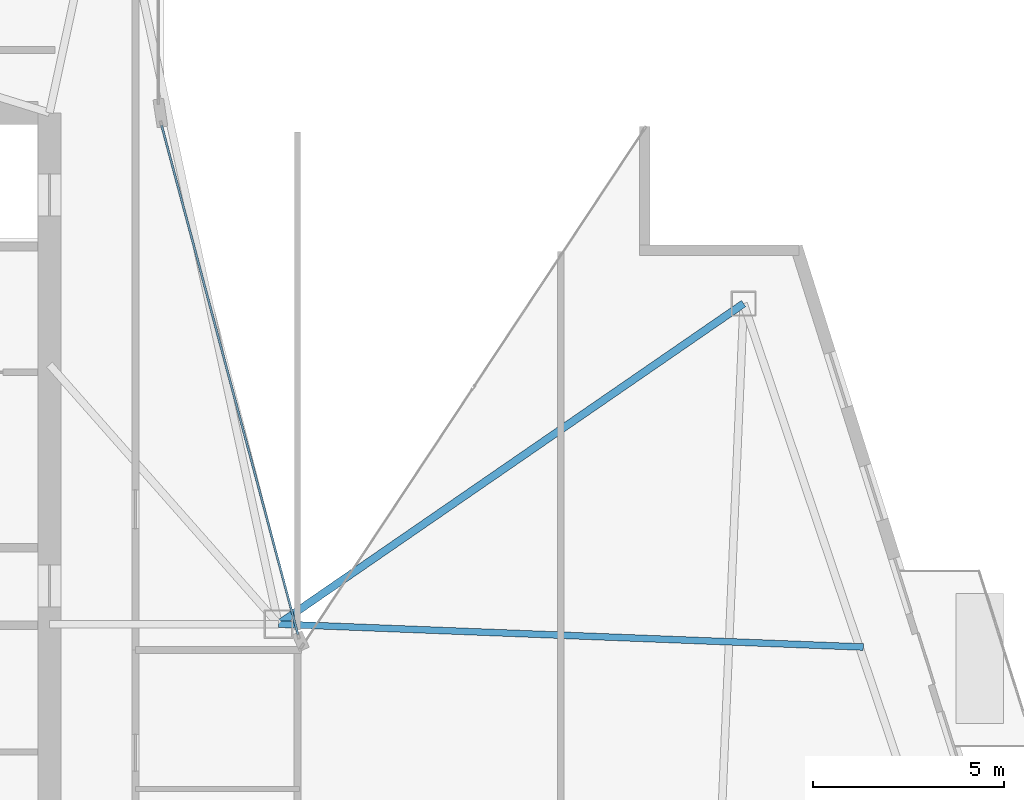
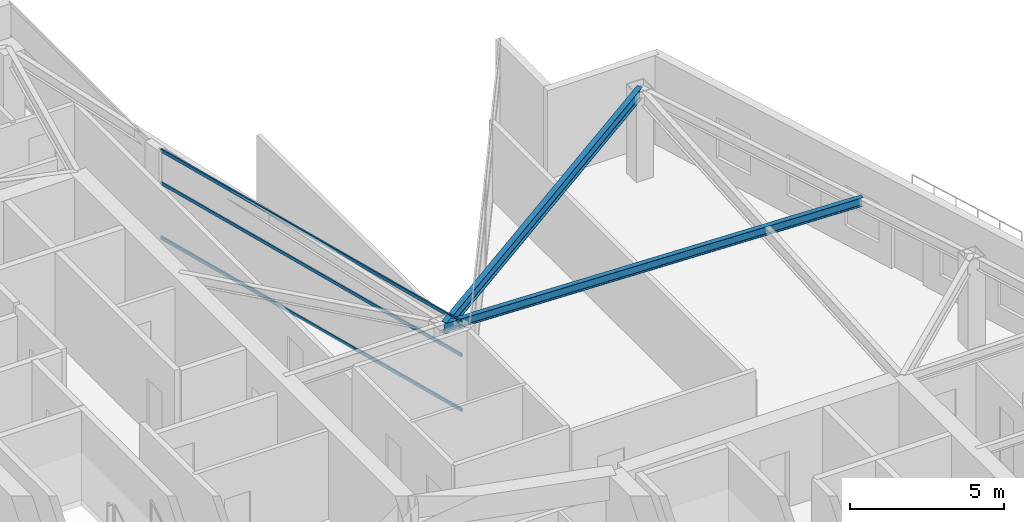
# One storey, part 11 of 27: 3 members, 2 beams, 1 element without a shape of its own.
"""IFC4 building model written with IfcOpenShell, lengths in metres."""

from ifc_helpers import new_model, si_unit, direction, frame, origin, origin_2d, place, context, subcontext, project, spatial, hollow_rectangle, i_section, extrude, material, layer, layer_set, material_profile, profile_set, type_object, element, aggregate, save


model = new_model("IFC4")

# Units and contexts
model_context = context("Model", 3, precision=1e-05, world=origin(), true_north=direction((0.0, 1.0)))
body_context = subcontext(model_context, "Body", "Model", "MODEL_VIEW")
ifc_project = project(units=[si_unit("LENGTHUNIT", "METRE"), si_unit("AREAUNIT", "SQUARE_METRE"), si_unit("VOLUMEUNIT", "CUBIC_METRE"), si_unit("PLANEANGLEUNIT", "RADIAN"), si_unit("MASSUNIT", "GRAM", prefix="KILO")], contexts=[model_context])

# Site, building, storey
site_placement = place(None, origin())
site = spatial("IfcSite", under=ifc_project, at=site_placement, CompositionType="ELEMENT")
building_placement = place(site_placement, origin())
building = spatial("IfcBuilding", under=site, at=building_placement, Name="Calvorn Quay Hotel", CompositionType="ELEMENT")
storey_placement = place(building_placement, frame((0.0, 0.0, 278.699951171875)))
storey = spatial("IfcBuildingStorey", under=building, at=storey_placement, Name="L69", CompositionType="ELEMENT", Elevation=278.699951171875)

# Beams
ifc_material_1 = material(Name="Steel Q355B", Category="steel")
ifc_material_profile_1 = material_profile(ifc_material_1, i_section(OverallWidth=0.175048828125, OverallDepth=0.35009765625, WebThickness=0.007080078125, FlangeThickness=0.010986328125, FilletRadius=0.013916015625, at=origin_2d()), Name="HN350x175x7x11")
ifc_profile_set_1 = profile_set([ifc_material_profile_1], Name="Steel Q355B")
beam_type_1 = type_object("IfcBeamType", Name="BM-JOIST-SEC", PredefinedType="JOIST", material=ifc_profile_set_1)
beam_1_placement = place(storey_placement, frame((21.0, 25.0, 3.344970703125), z_axis=(0.999234392811, -0.039123244039, 0.0), x_axis=(0.039123244039, 0.999234392811, 0.0)))
element("IfcBeam", 1, at=beam_1_placement, inside=storey, type_object=beam_type_1, Name="Beam BJ-L69-E3", PredefinedType="JOIST", context=body_context, shape_type="SweptSolid", body=[
    extrude(i_section(OverallWidth=0.175048828125, OverallDepth=0.35009765625, WebThickness=0.007080078125, FlangeThickness=0.010986328125, FilletRadius=0.013916015625, at=origin_2d()), origin(), (0.0, 0.0, 1.0), 15.338623046875),
])
ifc_material_2 = material(Name="Steel Q355B", Category="steel")
ifc_material_profile_2 = material_profile(ifc_material_2, i_section(OverallWidth=0.199951171875, OverallDepth=0.449951171875, WebThickness=0.009033203125, FlangeThickness=0.013916015625, FilletRadius=0.01611328125, at=origin_2d()), Name="HN450x200x9x14")
ifc_profile_set_2 = profile_set([ifc_material_profile_2], Name="Steel Q355B")
beam_type_2 = type_object("IfcBeamType", Name="BM-SPANDREL-Z3", PredefinedType="SPANDREL", material=ifc_profile_set_2)
beam_2_placement = place(storey_placement, frame((33.19091796875, 33.39990234375, 3.295166015625), z_axis=(-0.823453496714, -0.567383766731, 0.0), x_axis=(0.567383766731, -0.823453496714, 0.0)))
element("IfcBeam", 2, at=beam_2_placement, inside=storey, type_object=beam_type_2, Name="Beam BSP-L69-E3", PredefinedType="SPANDREL", context=body_context, shape_type="SweptSolid", body=[
    extrude(i_section(OverallWidth=0.199951171875, OverallDepth=0.449951171875, WebThickness=0.009033203125, FlangeThickness=0.013916015625, FilletRadius=0.01611328125, at=origin_2d()), origin(), (0.0, 0.0, 1.0), 14.8046875),
])

# Curtain wall, members
ifc_material_3 = material(Name="Champagne Bronze Anodised Aluminium and Low-E Glass", Category="aluminium")
ifc_layer = layer(ifc_material_3, 0.219970703125)
ifc_layer_set = layer_set([ifc_layer], Name="CW-SYS-Z4")
curtain_wall_type = type_object("IfcCurtainWallType", Name="CW-SYS-Z4", PredefinedType="NOTDEFINED", material=ifc_layer_set)
curtain_wall_placement = place(storey_placement, origin())
curtain_wall = element("IfcCurtainWall", 3, at=curtain_wall_placement, inside=storey, type_object=curtain_wall_type, Name="Inner Court Curtain Wall L69-IC1", PredefinedType="NOTDEFINED")
ifc_material_4 = material(Name="Champagne Bronze Anodised Aluminium 6063-T6", Category="aluminium")
ifc_material_profile_3 = material_profile(ifc_material_4, hollow_rectangle(XDim=0.054931640625, YDim=0.1298828125, WallThickness=0.003173828125, at=origin_2d()), Name="ALU-T130x55x3.2")
ifc_profile_set_3 = profile_set([ifc_material_profile_3], Name="Champagne Bronze Anodised Aluminium 6063-T6")
member_type = type_object("IfcMemberType", Name="CW-SYS-Z4-TRN", PredefinedType="USERDEFINED", material=ifc_profile_set_3)
member_1_placement = place(storey_placement, frame((21.512451171875, 24.72802734375, 0.030029296875), z_axis=(-0.258781136883, 0.965935982969, 0.0), x_axis=(-0.965935982969, -0.258781136883, 0.0)))
member_1 = element("IfcMember", 4, at=member_1_placement, type_object=member_type, Name="CW-L69-IC1 transom 1.1", ObjectType="TRANSOM", PredefinedType="USERDEFINED", context=body_context, shape_type="SweptSolid", body=[
    extrude(hollow_rectangle(XDim=0.054931640625, YDim=0.1298828125, WallThickness=0.003173828125, at=origin_2d()), origin(), (0.0, 0.0, 1.0), 13.814453125),
])
member_2_placement = place(storey_placement, frame((21.512451171875, 24.72802734375, 2.199951171875), z_axis=(-0.258781136883, 0.965935982969, 0.0), x_axis=(-0.965935982969, -0.258781136883, 0.0)))
member_2 = element("IfcMember", 5, at=member_2_placement, type_object=member_type, Name="CW-L69-IC1 transom 1.2", ObjectType="TRANSOM", PredefinedType="USERDEFINED", context=body_context, shape_type="SweptSolid", body=[
    extrude(hollow_rectangle(XDim=0.054931640625, YDim=0.1298828125, WallThickness=0.003173828125, at=origin_2d()), origin(), (0.0, 0.0, 1.0), 13.814453125),
])
member_3_placement = place(storey_placement, frame((21.512451171875, 24.72802734375, 3.489990234375), z_axis=(-0.258781136883, 0.965935982969, 0.0), x_axis=(-0.965935982969, -0.258781136883, 0.0)))
member_3 = element("IfcMember", 6, at=member_3_placement, type_object=member_type, Name="CW-L69-IC1 transom 1.3", ObjectType="TRANSOM", PredefinedType="USERDEFINED", context=body_context, shape_type="SweptSolid", body=[
    extrude(hollow_rectangle(XDim=0.054931640625, YDim=0.1298828125, WallThickness=0.003173828125, at=origin_2d()), origin(), (0.0, 0.0, 1.0), 13.814453125),
])
aggregate(curtain_wall, [member_1, member_2, member_3])

save(model, "model.ifc")
